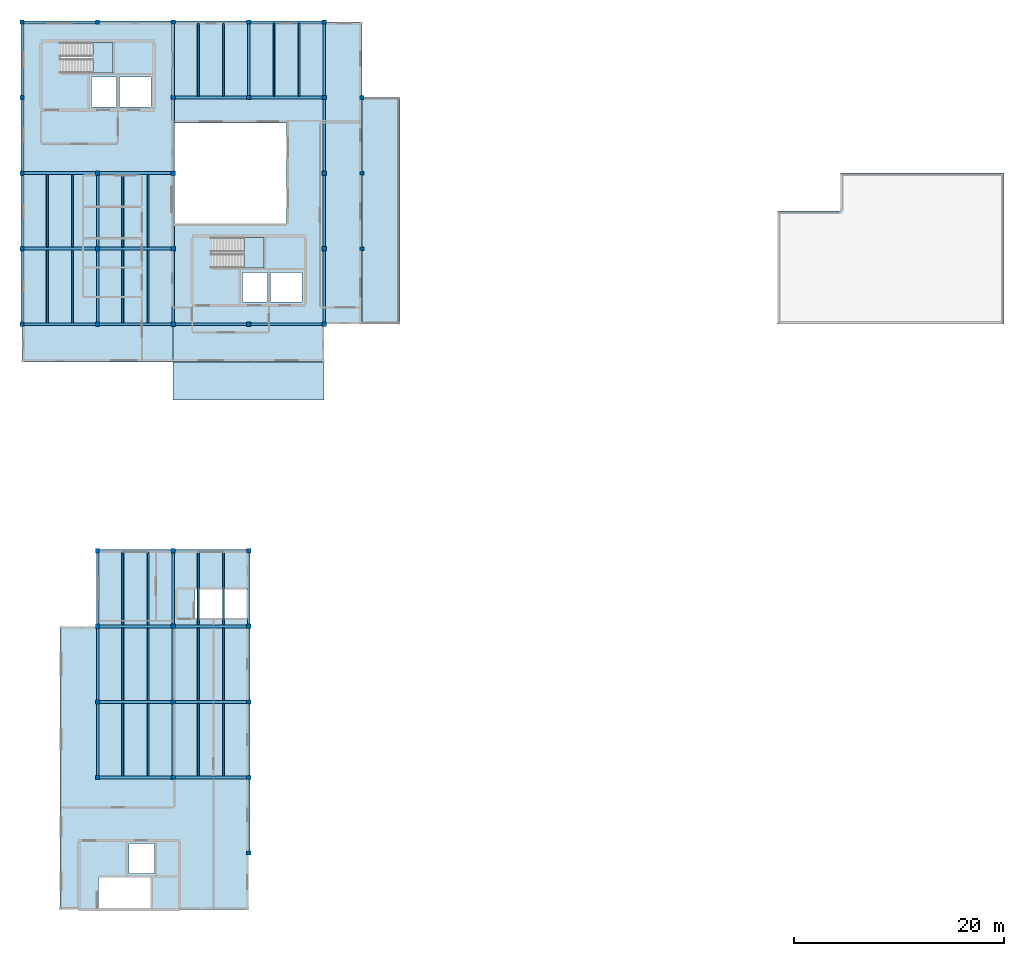
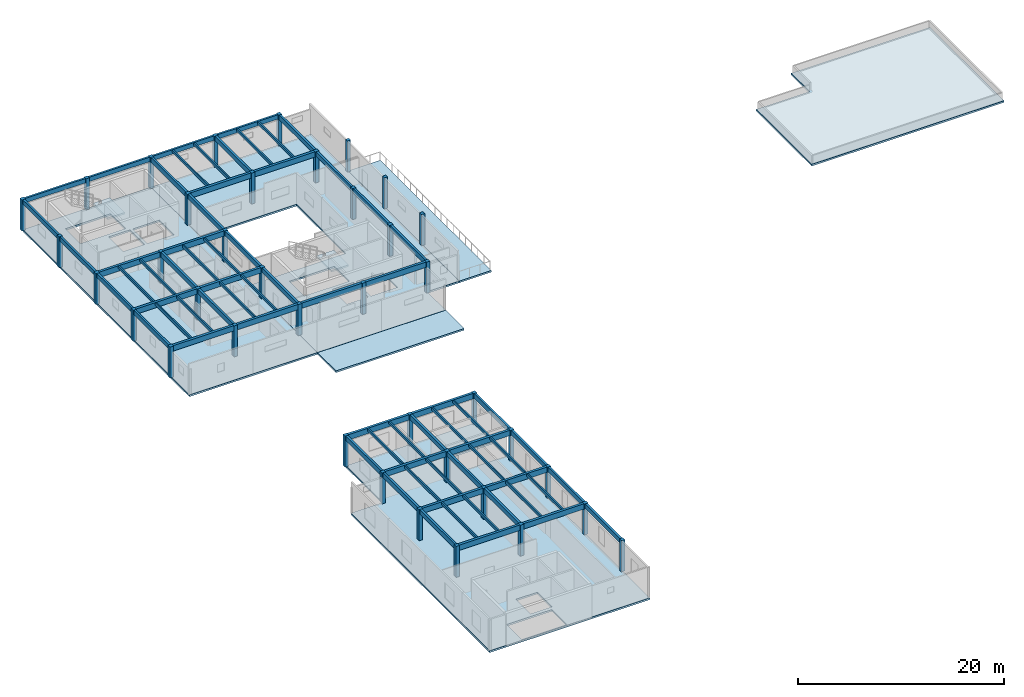
# One storey, part 1 of 12: 71 beams, 38 columns, 8 slabs, 2 elements without a shape of their own.
"""IFC4 building model written with IfcOpenShell, lengths in metres."""

from ifc_helpers import new_model, si_unit, direction, frame, origin, origin_2d, place, context, subcontext, project, spatial, polyline, rectangle, outline, extrude, material, layer, layer_set, material_profile, profile_set, type_object, element, aggregate, save


model = new_model("IFC4")

# Units and contexts
model_context = context("Model", 3, precision=1e-05, world=origin(), true_north=direction((0.0, 1.0)))
body_context = subcontext(model_context, "Body", "Model", "MODEL_VIEW")
ifc_project = project(units=[si_unit("LENGTHUNIT", "METRE"), si_unit("AREAUNIT", "SQUARE_METRE"), si_unit("VOLUMEUNIT", "CUBIC_METRE"), si_unit("PLANEANGLEUNIT", "RADIAN"), si_unit("MASSUNIT", "GRAM", prefix="KILO")], contexts=[model_context])

# Site, building, storey
site_placement = place(None, origin())
site = spatial("IfcSite", under=ifc_project, at=site_placement, CompositionType="ELEMENT")
building_placement = place(site_placement, origin())
building = spatial("IfcBuilding", under=site, at=building_placement, Name="Bramvelor Terrace Health Centre", CompositionType="ELEMENT")
storey_placement = place(building_placement, frame((0.0, 0.0, 17.699951171875)))
storey = spatial("IfcBuildingStorey", under=building, at=storey_placement, Name="L05", CompositionType="ELEMENT", Elevation=17.699951171875)

# Columns
ifc_material_1 = material(Name="Glulam GL28h", Category="wood")
ifc_material_profile_1 = material_profile(ifc_material_1, rectangle(XDim=0.360107421875, YDim=0.360107421875, at=origin_2d()), Name="GL 360x360")
ifc_profile_set_1 = profile_set([ifc_material_profile_1], Name="Glulam GL28h")
column_type_1 = type_object("IfcColumnType", Name="COL-GL-360-EXT", PredefinedType="COLUMN", material=ifc_profile_set_1)
for number, where, z_axis, x_axis, name in (
    (1, (32.39990234375, 93.60009765625, 0.0), (0.0, 0.0, 1.0), (1.0, 0.0, 0.0), "L05 Terrace Setback Column (32.4, 93.6)"),
    (2, (32.39990234375, 100.800048828125, 0.0), (0.0, 0.0, 1.0), (1.0, 0.0, 0.0), "L05 Terrace Setback Column (32.4, 100.8)"),
    (3, (32.39990234375, 108.0, 0.0), (0.0, 0.0, 1.0), (1.0, 0.0, 0.0), "L05 Terrace Setback Column (32.4, 108.0)"),
):
    element("IfcColumn", number, at=place(storey_placement, frame(where, z_axis=z_axis, x_axis=x_axis)), inside=storey, type_object=column_type_1, Name=name, PredefinedType="COLUMN", context=body_context, shape_type="SweptSolid", body=[
        extrude(rectangle(XDim=0.360107421875, YDim=0.360107421875, at=origin_2d()), origin(), (0.0, 0.0, 1.0), 3.7099609375),
    ])
ifc_material_2 = material(Name="Glulam GL28h", Category="wood")
ifc_material_profile_2 = material_profile(ifc_material_2, rectangle(XDim=0.39990234375, YDim=0.39990234375, at=origin_2d()), Name="GL 400x400")
ifc_profile_set_2 = profile_set([ifc_material_profile_2], Name="Glulam GL28h")
column_type_2 = type_object("IfcColumnType", Name="COL-GL-400", PredefinedType="COLUMN", material=ifc_profile_set_2)
for number, where, z_axis, x_axis, name in (
    (4, (7.199951171875, 43.199951171875, 0.0), (0.0, 0.0, 1.0), (1.0, 0.0, 0.0), "L05 Column (7.2, 43.2)"),
    (5, (7.199951171875, 50.39990234375, 0.0), (0.0, 0.0, 1.0), (1.0, 0.0, 0.0), "L05 Column (7.2, 50.4)"),
    (6, (7.199951171875, 57.60009765625, 0.0), (0.0, 0.0, 1.0), (1.0, 0.0, 0.0), "L05 Column (7.2, 57.6)"),
    (7, (7.199951171875, 64.800048828125, 0.0), (0.0, 0.0, 1.0), (1.0, 0.0, 0.0), "L05 Column (7.2, 64.8)"),
    (8, (7.199951171875, 86.39990234375, 0.0), (0.0, 0.0, 1.0), (1.0, 0.0, 0.0), "L05 Column (7.2, 86.4)"),
    (9, (7.199951171875, 93.60009765625, 0.0), (0.0, 0.0, 1.0), (1.0, 0.0, 0.0), "L05 Column (7.2, 93.6)"),
    (10, (7.199951171875, 100.800048828125, 0.0), (0.0, 0.0, 1.0), (1.0, 0.0, 0.0), "L05 Column (7.2, 100.8)"),
    (11, (14.39990234375, 43.199951171875, 0.0), (0.0, 0.0, 1.0), (1.0, 0.0, 0.0), "L05 Column (14.4, 43.2)"),
    (12, (14.39990234375, 50.39990234375, 0.0), (0.0, 0.0, 1.0), (1.0, 0.0, 0.0), "L05 Column (14.4, 50.4)"),
    (13, (14.39990234375, 57.60009765625, 0.0), (0.0, 0.0, 1.0), (1.0, 0.0, 0.0), "L05 Column (14.4, 57.6)"),
    (14, (14.39990234375, 64.800048828125, 0.0), (0.0, 0.0, 1.0), (1.0, 0.0, 0.0), "L05 Column (14.4, 64.8)"),
    (15, (14.39990234375, 86.39990234375, 0.0), (0.0, 0.0, 1.0), (1.0, 0.0, 0.0), "L05 Column (14.4, 86.4)"),
    (16, (14.39990234375, 93.60009765625, 0.0), (0.0, 0.0, 1.0), (1.0, 0.0, 0.0), "L05 Column (14.4, 93.6)"),
    (17, (14.39990234375, 100.800048828125, 0.0), (0.0, 0.0, 1.0), (1.0, 0.0, 0.0), "L05 Column (14.4, 100.8)"),
    (18, (14.39990234375, 108.0, 0.0), (0.0, 0.0, 1.0), (1.0, 0.0, 0.0), "L05 Column (14.4, 108.0)"),
    (19, (21.60009765625, 36.0, 0.0), (0.0, 0.0, 1.0), (1.0, 0.0, 0.0), "L05 Column (21.6, 36.0)"),
    (20, (21.60009765625, 43.199951171875, 0.0), (0.0, 0.0, 1.0), (1.0, 0.0, 0.0), "L05 Column (21.6, 43.2)"),
    (21, (21.60009765625, 50.39990234375, 0.0), (0.0, 0.0, 1.0), (1.0, 0.0, 0.0), "L05 Column (21.6, 50.4)"),
    (22, (21.60009765625, 57.60009765625, 0.0), (0.0, 0.0, 1.0), (1.0, 0.0, 0.0), "L05 Column (21.6, 57.6)"),
    (23, (21.60009765625, 64.800048828125, 0.0), (0.0, 0.0, 1.0), (1.0, 0.0, 0.0), "L05 Column (21.6, 64.8)"),
    (24, (21.60009765625, 86.39990234375, 0.0), (0.0, 0.0, 1.0), (1.0, 0.0, 0.0), "L05 Column (21.6, 86.4)"),
    (25, (21.60009765625, 108.0, 0.0), (0.0, 0.0, 1.0), (1.0, 0.0, 0.0), "L05 Column (21.6, 108.0)"),
    (26, (28.800048828125, 86.39990234375, 0.0), (0.0, 0.0, 1.0), (1.0, 0.0, 0.0), "L05 Column (28.8, 86.4)"),
    (27, (28.800048828125, 93.60009765625, 0.0), (0.0, 0.0, 1.0), (1.0, 0.0, 0.0), "L05 Column (28.8, 93.6)"),
    (28, (28.800048828125, 100.800048828125, 0.0), (0.0, 0.0, 1.0), (1.0, 0.0, 0.0), "L05 Column (28.8, 100.8)"),
    (29, (28.800048828125, 108.0, 0.0), (0.0, 0.0, 1.0), (1.0, 0.0, 0.0), "L05 Column (28.8, 108.0)"),
):
    element("IfcColumn", number, at=place(storey_placement, frame(where, z_axis=z_axis, x_axis=x_axis)), inside=storey, type_object=column_type_2, Name=name, PredefinedType="COLUMN", context=body_context, shape_type="SweptSolid", body=[
        extrude(rectangle(XDim=0.39990234375, YDim=0.39990234375, at=origin_2d()), origin(), (0.0, 0.0, 1.0), 3.68994140625),
    ])
ifc_material_3 = material(Name="Glulam GL28h", Category="wood")
ifc_material_profile_3 = material_profile(ifc_material_3, rectangle(XDim=0.39990234375, YDim=0.39990234375, at=origin_2d()), Name="GL 400x400")
ifc_profile_set_3 = profile_set([ifc_material_profile_3], Name="Glulam GL28h")
column_type_3 = type_object("IfcColumnType", Name="COL-GL-400-EXT", PredefinedType="COLUMN", material=ifc_profile_set_3)
for number, where, z_axis, x_axis, name in (
    (30, (0.0, 86.39990234375, 0.0), (0.0, 0.0, 1.0), (1.0, 0.0, 0.0), "L05 Column (0.0, 86.4)"),
    (31, (0.0, 93.60009765625, 0.0), (0.0, 0.0, 1.0), (1.0, 0.0, 0.0), "L05 Column (0.0, 93.6)"),
    (32, (0.0, 100.800048828125, 0.0), (0.0, 0.0, 1.0), (1.0, 0.0, 0.0), "L05 Column (0.0, 100.8)"),
    (33, (0.0, 108.0, 0.0), (0.0, 0.0, 1.0), (1.0, 0.0, 0.0), "L05 Column (0.0, 108.0)"),
    (34, (0.0, 115.199951171875, 0.0), (0.0, 0.0, 1.0), (1.0, 0.0, 0.0), "L05 Column (0.0, 115.2)"),
    (35, (7.199951171875, 115.199951171875, 0.0), (0.0, 0.0, 1.0), (1.0, 0.0, 0.0), "L05 Column (7.2, 115.2)"),
    (36, (14.39990234375, 115.199951171875, 0.0), (0.0, 0.0, 1.0), (1.0, 0.0, 0.0), "L05 Column (14.4, 115.2)"),
    (37, (21.60009765625, 115.199951171875, 0.0), (0.0, 0.0, 1.0), (1.0, 0.0, 0.0), "L05 Column (21.6, 115.2)"),
    (38, (28.800048828125, 115.199951171875, 0.0), (0.0, 0.0, 1.0), (1.0, 0.0, 0.0), "L05 Column (28.8, 115.2)"),
):
    element("IfcColumn", number, at=place(storey_placement, frame(where, z_axis=z_axis, x_axis=x_axis)), inside=storey, type_object=column_type_3, Name=name, PredefinedType="COLUMN", context=body_context, shape_type="SweptSolid", body=[
        extrude(rectangle(XDim=0.39990234375, YDim=0.39990234375, at=origin_2d()), origin(), (0.0, 0.0, 1.0), 3.68994140625),
    ])

# Beams
ifc_material_4 = material(Name="Glulam GL28h", Category="wood")
ifc_material_profile_4 = material_profile(ifc_material_4, rectangle(XDim=0.239990234375, YDim=0.56005859375, at=origin_2d()), Name="GL 240x560")
ifc_profile_set_4 = profile_set([ifc_material_profile_4], Name="Glulam GL28h")
beam_type_1 = type_object("IfcBeamType", Name="BM-GL-G560", PredefinedType="BEAM", material=ifc_profile_set_4)
beam_1_placement = place(storey_placement, frame((7.199951171875, 43.39990234375, 3.41015625), z_axis=(0.0, 1.0, 0.0), x_axis=(-1.0, 0.0, 0.0)))
element("IfcBeam", 39, at=beam_1_placement, inside=storey, type_object=beam_type_1, Name="L05 Floor Girder", PredefinedType="BEAM", context=body_context, shape_type="SweptSolid", body=[
    extrude(rectangle(XDim=0.239990234375, YDim=0.56005859375, at=origin_2d()), origin(), (0.0, 0.0, 1.0), 6.800048828125),
])
beam_2_placement = place(storey_placement, frame((7.199951171875, 50.60009765625, 3.41015625), z_axis=(0.0, 1.0, 0.0), x_axis=(-1.0, 0.0, 0.0)))
element("IfcBeam", 40, at=beam_2_placement, inside=storey, type_object=beam_type_1, Name="L05 Floor Girder", PredefinedType="BEAM", context=body_context, shape_type="SweptSolid", body=[
    extrude(rectangle(XDim=0.239990234375, YDim=0.56005859375, at=origin_2d()), origin(), (0.0, 0.0, 1.0), 6.7998046875),
])
beam_3_placement = place(storey_placement, frame((7.199951171875, 57.800048828125, 3.41015625), z_axis=(0.0, 1.0, 0.0), x_axis=(-1.0, 0.0, 0.0)))
element("IfcBeam", 41, at=beam_3_placement, inside=storey, type_object=beam_type_1, Name="L05 Floor Girder", PredefinedType="BEAM", context=body_context, shape_type="SweptSolid", body=[
    extrude(rectangle(XDim=0.239990234375, YDim=0.56005859375, at=origin_2d()), origin(), (0.0, 0.0, 1.0), 6.800048828125),
])
beam_4_placement = place(storey_placement, frame((7.199951171875, 86.60009765625, 3.41015625), z_axis=(0.0, 1.0, 0.0), x_axis=(-1.0, 0.0, 0.0)))
element("IfcBeam", 42, at=beam_4_placement, inside=storey, type_object=beam_type_1, Name="L05 Floor Girder", PredefinedType="BEAM", context=body_context, shape_type="SweptSolid", body=[
    extrude(rectangle(XDim=0.239990234375, YDim=0.56005859375, at=origin_2d()), origin(), (0.0, 0.0, 1.0), 6.7998046875),
])
for number, where, z_axis, x_axis, name in (
    (43, (7.199951171875, 93.800048828125, 3.41015625), (0.0, 1.0, 0.0), (-1.0, 0.0, 0.0), "L05 Floor Girder"),
    (44, (14.39990234375, 43.39990234375, 3.41015625), (0.0, 1.0, 0.0), (-1.0, 0.0, 0.0), "L05 Floor Girder"),
):
    element("IfcBeam", number, at=place(storey_placement, frame(where, z_axis=z_axis, x_axis=x_axis)), inside=storey, type_object=beam_type_1, Name=name, PredefinedType="BEAM", context=body_context, shape_type="SweptSolid", body=[
        extrude(rectangle(XDim=0.239990234375, YDim=0.56005859375, at=origin_2d()), origin(), (0.0, 0.0, 1.0), 6.800048828125),
    ])
beam_5_placement = place(storey_placement, frame((14.39990234375, 50.60009765625, 3.41015625), z_axis=(0.0, 1.0, 0.0), x_axis=(-1.0, 0.0, 0.0)))
element("IfcBeam", 45, at=beam_5_placement, inside=storey, type_object=beam_type_1, Name="L05 Floor Girder", PredefinedType="BEAM", context=body_context, shape_type="SweptSolid", body=[
    extrude(rectangle(XDim=0.239990234375, YDim=0.56005859375, at=origin_2d()), origin(), (0.0, 0.0, 1.0), 6.7998046875),
])
beam_6_placement = place(storey_placement, frame((14.39990234375, 57.800048828125, 3.41015625), z_axis=(0.0, 1.0, 0.0), x_axis=(-1.0, 0.0, 0.0)))
element("IfcBeam", 46, at=beam_6_placement, inside=storey, type_object=beam_type_1, Name="L05 Floor Girder", PredefinedType="BEAM", context=body_context, shape_type="SweptSolid", body=[
    extrude(rectangle(XDim=0.239990234375, YDim=0.56005859375, at=origin_2d()), origin(), (0.0, 0.0, 1.0), 6.800048828125),
])
beam_7_placement = place(storey_placement, frame((14.39990234375, 86.60009765625, 3.41015625), z_axis=(0.0, 1.0, 0.0), x_axis=(-1.0, 0.0, 0.0)))
element("IfcBeam", 47, at=beam_7_placement, inside=storey, type_object=beam_type_1, Name="L05 Floor Girder", PredefinedType="BEAM", context=body_context, shape_type="SweptSolid", body=[
    extrude(rectangle(XDim=0.239990234375, YDim=0.56005859375, at=origin_2d()), origin(), (0.0, 0.0, 1.0), 6.7998046875),
])
for number, where, z_axis, x_axis, name in (
    (48, (14.39990234375, 93.800048828125, 3.41015625), (0.0, 1.0, 0.0), (-1.0, 0.0, 0.0), "L05 Floor Girder"),
    (49, (14.39990234375, 101.0, 3.41015625), (0.0, 1.0, 0.0), (-1.0, 0.0, 0.0), "L05 Floor Girder"),
    (50, (14.39990234375, 108.199951171875, 3.41015625), (0.0, 1.0, 0.0), (-1.0, 0.0, 0.0), "L05 Floor Girder"),
    (51, (21.60009765625, 36.199951171875, 3.41015625), (0.0, 1.0, 0.0), (-1.0, 0.0, 0.0), "L05 Floor Girder"),
    (52, (21.60009765625, 43.39990234375, 3.41015625), (0.0, 1.0, 0.0), (-1.0, 0.0, 0.0), "L05 Floor Girder"),
):
    element("IfcBeam", number, at=place(storey_placement, frame(where, z_axis=z_axis, x_axis=x_axis)), inside=storey, type_object=beam_type_1, Name=name, PredefinedType="BEAM", context=body_context, shape_type="SweptSolid", body=[
        extrude(rectangle(XDim=0.239990234375, YDim=0.56005859375, at=origin_2d()), origin(), (0.0, 0.0, 1.0), 6.800048828125),
    ])
beam_8_placement = place(storey_placement, frame((21.60009765625, 50.60009765625, 3.41015625), z_axis=(0.0, 1.0, 0.0), x_axis=(-1.0, 0.0, 0.0)))
element("IfcBeam", 53, at=beam_8_placement, inside=storey, type_object=beam_type_1, Name="L05 Floor Girder", PredefinedType="BEAM", context=body_context, shape_type="SweptSolid", body=[
    extrude(rectangle(XDim=0.239990234375, YDim=0.56005859375, at=origin_2d()), origin(), (0.0, 0.0, 1.0), 6.7998046875),
])
for number, where, z_axis, x_axis, name in (
    (54, (21.60009765625, 57.800048828125, 3.41015625), (0.0, 1.0, 0.0), (-1.0, 0.0, 0.0), "L05 Floor Girder"),
    (55, (21.60009765625, 108.199951171875, 3.41015625), (0.0, 1.0, 0.0), (-1.0, 0.0, 0.0), "L05 Floor Girder"),
):
    element("IfcBeam", number, at=place(storey_placement, frame(where, z_axis=z_axis, x_axis=x_axis)), inside=storey, type_object=beam_type_1, Name=name, PredefinedType="BEAM", context=body_context, shape_type="SweptSolid", body=[
        extrude(rectangle(XDim=0.239990234375, YDim=0.56005859375, at=origin_2d()), origin(), (0.0, 0.0, 1.0), 6.800048828125),
    ])
beam_9_placement = place(storey_placement, frame((28.800048828125, 86.60009765625, 3.41015625), z_axis=(0.0, 1.0, 0.0), x_axis=(-1.0, 0.0, 0.0)))
element("IfcBeam", 56, at=beam_9_placement, inside=storey, type_object=beam_type_1, Name="L05 Floor Girder", PredefinedType="BEAM", context=body_context, shape_type="SweptSolid", body=[
    extrude(rectangle(XDim=0.239990234375, YDim=0.56005859375, at=origin_2d()), origin(), (0.0, 0.0, 1.0), 6.7998046875),
])
for number, where, z_axis, x_axis, name in (
    (57, (28.800048828125, 93.800048828125, 3.41015625), (0.0, 1.0, 0.0), (-1.0, 0.0, 0.0), "L05 Floor Girder"),
    (58, (28.800048828125, 101.0, 3.41015625), (0.0, 1.0, 0.0), (-1.0, 0.0, 0.0), "L05 Floor Girder"),
    (59, (28.800048828125, 108.199951171875, 3.41015625), (0.0, 1.0, 0.0), (-1.0, 0.0, 0.0), "L05 Floor Girder"),
):
    element("IfcBeam", number, at=place(storey_placement, frame(where, z_axis=z_axis, x_axis=x_axis)), inside=storey, type_object=beam_type_1, Name=name, PredefinedType="BEAM", context=body_context, shape_type="SweptSolid", body=[
        extrude(rectangle(XDim=0.239990234375, YDim=0.56005859375, at=origin_2d()), origin(), (0.0, 0.0, 1.0), 6.800048828125),
    ])
ifc_material_5 = material(Name="Glulam GL28h", Category="wood")
ifc_material_profile_5 = material_profile(ifc_material_5, rectangle(XDim=0.280029296875, YDim=0.639892578125, at=origin_2d()), Name="GL 280x640")
ifc_profile_set_5 = profile_set([ifc_material_profile_5], Name="Glulam GL28h")
beam_type_2 = type_object("IfcBeamType", Name="BM-GL-G640", PredefinedType="BEAM", material=ifc_profile_set_5)
for number, where, z_axis, x_axis, name in (
    (60, (0.199951171875, 86.39990234375, 3.3701171875), (1.0, 0.0, 0.0), (0.0, 1.0, 0.0), "L05 Floor Girder"),
    (61, (0.199951171875, 93.60009765625, 3.3701171875), (1.0, 0.0, 0.0), (0.0, 1.0, 0.0), "L05 Floor Girder"),
    (62, (0.199951171875, 100.800048828125, 3.3701171875), (1.0, 0.0, 0.0), (0.0, 1.0, 0.0), "L05 Floor Girder"),
    (63, (7.39990234375, 43.199951171875, 3.3701171875), (1.0, 0.0, 0.0), (0.0, 1.0, 0.0), "L05 Floor Girder"),
    (64, (7.39990234375, 50.39990234375, 3.3701171875), (1.0, 0.0, 0.0), (0.0, 1.0, 0.0), "L05 Floor Girder"),
    (65, (7.39990234375, 57.60009765625, 3.3701171875), (1.0, 0.0, 0.0), (0.0, 1.0, 0.0), "L05 Floor Girder"),
    (66, (7.39990234375, 64.800048828125, 3.3701171875), (1.0, 0.0, 0.0), (0.0, 1.0, 0.0), "L05 Floor Girder"),
    (67, (7.39990234375, 86.39990234375, 3.3701171875), (1.0, 0.0, 0.0), (0.0, 1.0, 0.0), "L05 Floor Girder"),
    (68, (7.39990234375, 93.60009765625, 3.3701171875), (1.0, 0.0, 0.0), (0.0, 1.0, 0.0), "L05 Floor Girder"),
    (69, (7.39990234375, 100.800048828125, 3.3701171875), (1.0, 0.0, 0.0), (0.0, 1.0, 0.0), "L05 Floor Girder"),
):
    element("IfcBeam", number, at=place(storey_placement, frame(where, z_axis=z_axis, x_axis=x_axis)), inside=storey, type_object=beam_type_2, Name=name, PredefinedType="BEAM", context=body_context, shape_type="SweptSolid", body=[
        extrude(rectangle(XDim=0.280029296875, YDim=0.639892578125, at=origin_2d()), origin(), (0.0, 0.0, 1.0), 6.800048828125),
    ])
for number, where, z_axis, x_axis, name in (
    (70, (14.60009765625, 43.199951171875, 3.3701171875), (1.0, 0.0, 0.0), (0.0, 1.0, 0.0), "L05 Floor Girder"),
    (71, (14.60009765625, 50.39990234375, 3.3701171875), (1.0, 0.0, 0.0), (0.0, 1.0, 0.0), "L05 Floor Girder"),
    (72, (14.60009765625, 57.60009765625, 3.3701171875), (1.0, 0.0, 0.0), (0.0, 1.0, 0.0), "L05 Floor Girder"),
    (73, (14.60009765625, 64.800048828125, 3.3701171875), (1.0, 0.0, 0.0), (0.0, 1.0, 0.0), "L05 Floor Girder"),
    (74, (14.60009765625, 86.39990234375, 3.3701171875), (1.0, 0.0, 0.0), (0.0, 1.0, 0.0), "L05 Floor Girder"),
    (75, (14.60009765625, 108.0, 3.3701171875), (1.0, 0.0, 0.0), (0.0, 1.0, 0.0), "L05 Floor Girder"),
):
    element("IfcBeam", number, at=place(storey_placement, frame(where, z_axis=z_axis, x_axis=x_axis)), inside=storey, type_object=beam_type_2, Name=name, PredefinedType="BEAM", context=body_context, shape_type="SweptSolid", body=[
        extrude(rectangle(XDim=0.280029296875, YDim=0.639892578125, at=origin_2d()), origin(), (0.0, 0.0, 1.0), 6.7998046875),
    ])
for number, where, z_axis, x_axis, name in (
    (76, (21.800048828125, 86.39990234375, 3.3701171875), (1.0, 0.0, 0.0), (0.0, 1.0, 0.0), "L05 Floor Girder"),
    (77, (21.800048828125, 108.0, 3.3701171875), (1.0, 0.0, 0.0), (0.0, 1.0, 0.0), "L05 Floor Girder"),
):
    element("IfcBeam", number, at=place(storey_placement, frame(where, z_axis=z_axis, x_axis=x_axis)), inside=storey, type_object=beam_type_2, Name=name, PredefinedType="BEAM", context=body_context, shape_type="SweptSolid", body=[
        extrude(rectangle(XDim=0.280029296875, YDim=0.639892578125, at=origin_2d()), origin(), (0.0, 0.0, 1.0), 6.800048828125),
    ])
ifc_material_6 = material(Name="Glulam GL28h", Category="wood")
ifc_material_profile_6 = material_profile(ifc_material_6, rectangle(XDim=0.159912109375, YDim=0.320068359375, at=origin_2d()), Name="GL 160x320")
ifc_profile_set_6 = profile_set([ifc_material_profile_6], Name="Glulam GL28h")
beam_type_3 = type_object("IfcBeamType", Name="BM-GL-J320", PredefinedType="JOIST", material=ifc_profile_set_6)
for number, where, z_axis, x_axis, name in (
    (78, (2.39990234375, 86.5400390625, 3.530029296875), (0.0, 1.0, 0.0), (-1.0, 0.0, 0.0), "L05 Secondary Floor Joist"),
    (79, (4.800048828125, 86.5400390625, 3.530029296875), (0.0, 1.0, 0.0), (-1.0, 0.0, 0.0), "L05 Secondary Floor Joist"),
    (80, (2.39990234375, 93.739990234375, 3.530029296875), (0.0, 1.0, 0.0), (-1.0, 0.0, 0.0), "L05 Secondary Floor Joist"),
    (81, (4.800048828125, 93.739990234375, 3.530029296875), (0.0, 1.0, 0.0), (-1.0, 0.0, 0.0), "L05 Secondary Floor Joist"),
    (82, (9.60009765625, 43.340087890625, 3.530029296875), (0.0, 1.0, 0.0), (-1.0, 0.0, 0.0), "L05 Secondary Floor Joist"),
    (83, (12.0, 43.340087890625, 3.530029296875), (0.0, 1.0, 0.0), (-1.0, 0.0, 0.0), "L05 Secondary Floor Joist"),
    (84, (9.60009765625, 50.5400390625, 3.530029296875), (0.0, 1.0, 0.0), (-1.0, 0.0, 0.0), "L05 Secondary Floor Joist"),
    (85, (12.0, 50.5400390625, 3.530029296875), (0.0, 1.0, 0.0), (-1.0, 0.0, 0.0), "L05 Secondary Floor Joist"),
    (86, (9.60009765625, 57.739990234375, 3.530029296875), (0.0, 1.0, 0.0), (-1.0, 0.0, 0.0), "L05 Secondary Floor Joist"),
    (87, (12.0, 57.739990234375, 3.530029296875), (0.0, 1.0, 0.0), (-1.0, 0.0, 0.0), "L05 Secondary Floor Joist"),
    (88, (9.60009765625, 86.5400390625, 3.530029296875), (0.0, 1.0, 0.0), (-1.0, 0.0, 0.0), "L05 Secondary Floor Joist"),
    (89, (12.0, 86.5400390625, 3.530029296875), (0.0, 1.0, 0.0), (-1.0, 0.0, 0.0), "L05 Secondary Floor Joist"),
    (90, (9.60009765625, 93.739990234375, 3.530029296875), (0.0, 1.0, 0.0), (-1.0, 0.0, 0.0), "L05 Secondary Floor Joist"),
    (91, (12.0, 93.739990234375, 3.530029296875), (0.0, 1.0, 0.0), (-1.0, 0.0, 0.0), "L05 Secondary Floor Joist"),
    (92, (16.800048828125, 43.340087890625, 3.530029296875), (0.0, 1.0, 0.0), (-1.0, 0.0, 0.0), "L05 Secondary Floor Joist"),
    (93, (19.199951171875, 43.340087890625, 3.530029296875), (0.0, 1.0, 0.0), (-1.0, 0.0, 0.0), "L05 Secondary Floor Joist"),
    (94, (16.800048828125, 50.5400390625, 3.530029296875), (0.0, 1.0, 0.0), (-1.0, 0.0, 0.0), "L05 Secondary Floor Joist"),
    (95, (19.199951171875, 50.5400390625, 3.530029296875), (0.0, 1.0, 0.0), (-1.0, 0.0, 0.0), "L05 Secondary Floor Joist"),
    (96, (16.800048828125, 57.739990234375, 3.530029296875), (0.0, 1.0, 0.0), (-1.0, 0.0, 0.0), "L05 Secondary Floor Joist"),
    (97, (19.199951171875, 57.739990234375, 3.530029296875), (0.0, 1.0, 0.0), (-1.0, 0.0, 0.0), "L05 Secondary Floor Joist"),
):
    element("IfcBeam", number, at=place(storey_placement, frame(where, z_axis=z_axis, x_axis=x_axis)), inside=storey, type_object=beam_type_3, Name=name, PredefinedType="JOIST", context=body_context, shape_type="SweptSolid", body=[
        extrude(rectangle(XDim=0.159912109375, YDim=0.320068359375, at=origin_2d()), origin(), (0.0, 0.0, 1.0), 6.919921875),
    ])
for number, where, z_axis, x_axis, name in (
    (98, (16.800048828125, 108.139892578125, 3.530029296875), (0.0, 1.0, 0.0), (-1.0, 0.0, 0.0), "L05 Secondary Floor Joist"),
    (99, (19.199951171875, 108.139892578125, 3.530029296875), (0.0, 1.0, 0.0), (-1.0, 0.0, 0.0), "L05 Secondary Floor Joist"),
    (100, (24.0, 108.139892578125, 3.530029296875), (0.0, 1.0, 0.0), (-1.0, 0.0, 0.0), "L05 Secondary Floor Joist"),
    (101, (26.39990234375, 108.139892578125, 3.530029296875), (0.0, 1.0, 0.0), (-1.0, 0.0, 0.0), "L05 Secondary Floor Joist"),
):
    element("IfcBeam", number, at=place(storey_placement, frame(where, z_axis=z_axis, x_axis=x_axis)), inside=storey, type_object=beam_type_3, Name=name, PredefinedType="JOIST", context=body_context, shape_type="SweptSolid", body=[
        extrude(rectangle(XDim=0.159912109375, YDim=0.320068359375, at=origin_2d()), origin(), (0.0, 0.0, 1.0), 6.9501953125),
    ])
ifc_material_7 = material(Name="Glulam GL28h", Category="wood")
ifc_material_profile_7 = material_profile(ifc_material_7, rectangle(XDim=0.219970703125, YDim=0.52001953125, at=origin_2d()), Name="GL 220x520")
ifc_profile_set_7 = profile_set([ifc_material_profile_7], Name="Glulam GL28h")
beam_type_4 = type_object("IfcBeamType", Name="BM-GL-SP520-EXT", PredefinedType="SPANDREL", material=ifc_profile_set_7)
beam_10_placement = place(storey_placement, frame((0.0, 86.60009765625, 3.429931640625), z_axis=(0.0, 1.0, 0.0), x_axis=(-1.0, 0.0, 0.0)))
element("IfcBeam", 102, at=beam_10_placement, inside=storey, type_object=beam_type_4, Name="L05 Floor Girder", PredefinedType="SPANDREL", context=body_context, shape_type="SweptSolid", body=[
    extrude(rectangle(XDim=0.219970703125, YDim=0.52001953125, at=origin_2d()), origin(), (0.0, 0.0, 1.0), 6.7998046875),
])
for number, where, z_axis, x_axis, name in (
    (103, (0.0, 93.800048828125, 3.429931640625), (0.0, 1.0, 0.0), (-1.0, 0.0, 0.0), "L05 Floor Girder"),
    (104, (0.0, 101.0, 3.429931640625), (0.0, 1.0, 0.0), (-1.0, 0.0, 0.0), "L05 Floor Girder"),
    (105, (0.0, 108.199951171875, 3.429931640625), (0.0, 1.0, 0.0), (-1.0, 0.0, 0.0), "L05 Floor Girder"),
    (106, (0.199951171875, 115.199951171875, 3.429931640625), (1.0, 0.0, 0.0), (0.0, 1.0, 0.0), "L05 Floor Girder"),
    (107, (7.39990234375, 115.199951171875, 3.429931640625), (1.0, 0.0, 0.0), (0.0, 1.0, 0.0), "L05 Floor Girder"),
):
    element("IfcBeam", number, at=place(storey_placement, frame(where, z_axis=z_axis, x_axis=x_axis)), inside=storey, type_object=beam_type_4, Name=name, PredefinedType="SPANDREL", context=body_context, shape_type="SweptSolid", body=[
        extrude(rectangle(XDim=0.219970703125, YDim=0.52001953125, at=origin_2d()), origin(), (0.0, 0.0, 1.0), 6.800048828125),
    ])
beam_11_placement = place(storey_placement, frame((14.60009765625, 115.199951171875, 3.429931640625), z_axis=(1.0, 0.0, 0.0), x_axis=(0.0, 1.0, 0.0)))
element("IfcBeam", 108, at=beam_11_placement, inside=storey, type_object=beam_type_4, Name="L05 Floor Girder", PredefinedType="SPANDREL", context=body_context, shape_type="SweptSolid", body=[
    extrude(rectangle(XDim=0.219970703125, YDim=0.52001953125, at=origin_2d()), origin(), (0.0, 0.0, 1.0), 6.7998046875),
])
beam_12_placement = place(storey_placement, frame((21.800048828125, 115.199951171875, 3.429931640625), z_axis=(1.0, 0.0, 0.0), x_axis=(0.0, 1.0, 0.0)))
element("IfcBeam", 109, at=beam_12_placement, inside=storey, type_object=beam_type_4, Name="L05 Floor Girder", PredefinedType="SPANDREL", context=body_context, shape_type="SweptSolid", body=[
    extrude(rectangle(XDim=0.219970703125, YDim=0.52001953125, at=origin_2d()), origin(), (0.0, 0.0, 1.0), 6.800048828125),
])

# Slabs
ifc_material_8 = material(Name="Cross-laminated timber C24", Category="wood")
ifc_layer_1 = layer(ifc_material_8, 0.199951171875)
ifc_layer_set_1 = layer_set([ifc_layer_1], Name="Cross-laminated timber C24")
slab_type_1 = type_object("IfcSlabType", Name="SLB-EXT-CLT-200", PredefinedType="FLOOR", material=ifc_layer_set_1)
slab_1_placement = place(storey_placement, frame((0.0, 0.0, -0.199951171875)))
element("IfcSlab", 110, at=slab_1_placement, inside=storey, type_object=slab_type_1, Name="L05 V4 Step3 Exterior Slab", PredefinedType="FLOOR", context=body_context, shape_type="SweptSolid", body=[
    extrude(outline(polyline([(36.0, 108.0), (36.0, 86.39990234375), (32.405029296875, 86.39990234375), (32.405029296875, 108.0), (36.0, 108.0)])), origin(), (0.0, 0.0, 1.0), 0.199951171875),
])
ifc_material_9 = material(Name="Cross-laminated timber C24", Category="wood")
ifc_layer_2 = layer(ifc_material_9, 0.2099609375)
ifc_layer_set_2 = layer_set([ifc_layer_2], Name="Cross-laminated timber C24")
slab_type_2 = type_object("IfcSlabType", Name="SLB-FLR-CLT210", PredefinedType="FLOOR", material=ifc_layer_set_2)
slab_2_placement = place(storey_placement, frame((0.0, 0.0, -0.2099609375)))
element("IfcSlab", 111, at=slab_2_placement, inside=storey, type_object=slab_type_2, Name="L05 V4_E Floor Slab", PredefinedType="FLOOR", context=body_context, shape_type="SweptSolid", body=[
    extrude(outline(polyline([(28.800048828125, 82.800048828125), (14.39990234375, 82.800048828125), (14.39990234375, 96.0), (25.199951171875, 96.0), (25.199951171875, 105.60009765625), (14.39990234375, 105.60009765625), (14.39990234375, 115.199951171875), (32.39990234375, 115.199951171875), (32.39990234375, 86.39990234375), (28.800048828125, 86.39990234375), (28.800048828125, 82.800048828125)]), holes=[polyline([(18.080078125, 91.75), (23.14990234375, 91.75), (23.14990234375, 94.64990234375), (18.080078125, 94.64990234375), (18.080078125, 91.75)]), polyline([(21.0, 91.35009765625), (21.0, 88.5), (23.39990234375, 88.5), (23.39990234375, 91.35009765625), (21.0, 91.35009765625)]), polyline([(26.699951171875, 91.35009765625), (23.699951171875, 91.35009765625), (23.699951171875, 88.5), (26.699951171875, 88.5), (26.699951171875, 91.35009765625)])]), origin(), (0.0, 0.0, 1.0), 0.2099609375),
])
slab_3_placement = place(storey_placement, frame((0.0, 0.0, -0.2099609375)))
element("IfcSlab", 112, at=slab_3_placement, inside=storey, type_object=slab_type_2, Name="L05 V4_W Floor Slab", PredefinedType="FLOOR", context=body_context, shape_type="SweptSolid", body=[
    extrude(outline(polyline([(14.39990234375, 82.800048828125), (0.0, 82.800048828125), (0.0, 115.199951171875), (14.39990234375, 115.199951171875), (14.39990234375, 105.60009765625), (14.39990234375, 96.0), (14.39990234375, 82.800048828125)]), holes=[polyline([(3.679931640625, 110.35009765625), (8.75, 110.35009765625), (8.75, 113.25), (3.679931640625, 113.25), (3.679931640625, 110.35009765625)]), polyline([(6.60009765625, 109.949951171875), (6.60009765625, 107.10009765625), (9.0, 107.10009765625), (9.0, 109.949951171875), (6.60009765625, 109.949951171875)]), polyline([(12.300048828125, 109.949951171875), (9.300048828125, 109.949951171875), (9.300048828125, 107.10009765625), (12.300048828125, 107.10009765625), (12.300048828125, 109.949951171875)])]), origin(), (0.0, 0.0, 1.0), 0.2099609375),
])
slab_4_placement = place(storey_placement, frame((0.0, 0.0, -0.2099609375)))
element("IfcSlab", 113, at=slab_4_placement, inside=storey, type_object=slab_type_2, Name="L05 V6 Floor Slab", PredefinedType="FLOOR", context=body_context, shape_type="SweptSolid", body=[
    extrude(outline(polyline([(3.60009765625, 57.60009765625), (7.199951171875, 57.60009765625), (7.199951171875, 64.800048828125), (21.60009765625, 64.800048828125), (21.60009765625, 30.60009765625), (3.60009765625, 30.60009765625), (3.60009765625, 57.60009765625)]), holes=[polyline([(7.280029296875, 30.75), (12.35009765625, 30.75), (12.35009765625, 33.64990234375), (7.280029296875, 33.64990234375), (7.280029296875, 30.75)]), polyline([(10.199951171875, 36.89990234375), (10.199951171875, 34.050048828125), (12.60009765625, 34.050048828125), (12.60009765625, 36.89990234375), (10.199951171875, 36.89990234375)]), polyline([(21.550048828125, 61.10009765625), (16.47998046875, 61.10009765625), (16.47998046875, 58.39990234375), (21.550048828125, 58.39990234375), (21.550048828125, 61.10009765625)])]), origin(), (0.0, 0.0, 1.0), 0.2099609375),
])

# Stair, slab
ifc_material_10 = material(Name="Concrete C40/50", Category="concrete")
stair_type = type_object("IfcStairType", Name="STR-CORE", PredefinedType="HALF_TURN_STAIR", material=ifc_material_10)
stair_1_placement = place(storey_placement, origin())
stair_1 = element("IfcStair", 114, at=stair_1_placement, inside=storey, type_object=stair_type, Name="L05 C1 Primary Fire Stair", PredefinedType="HALF_TURN_STAIR")
ifc_material_11 = material(Name="Concrete C40/50", Category="concrete")
ifc_layer_3 = layer(ifc_material_11, 0.199951171875)
ifc_layer_set_3 = layer_set([ifc_layer_3], Name="Concrete C40/50")
slab_type_3 = type_object("IfcSlabType", Name="SLB-LND-200", PredefinedType="LANDING", material=ifc_layer_set_3)
slab_5_placement = place(storey_placement, frame((0.0, 0.0, 1.75)))
slab_5 = element("IfcSlab", 115, at=slab_5_placement, type_object=slab_type_3, Name="ST-1 landing 1", PredefinedType="LANDING", context=body_context, shape_type="SweptSolid", body=[
    extrude(outline(polyline([(6.735107421875, 110.35009765625), (8.655029296875, 110.35009765625), (8.655029296875, 113.25), (6.735107421875, 113.25), (6.735107421875, 110.35009765625)])), origin(), (0.0, 0.0, 1.0), 0.199951171875),
])
aggregate(stair_1, [slab_5])

stair_2_placement = place(storey_placement, origin())
stair_2 = element("IfcStair", 116, at=stair_2_placement, inside=storey, type_object=stair_type, Name="L05 C2 Primary Fire Stair", PredefinedType="HALF_TURN_STAIR")
slab_6_placement = place(storey_placement, frame((0.0, 0.0, 1.75)))
slab_6 = element("IfcSlab", 117, at=slab_6_placement, type_object=slab_type_3, Name="ST-2 landing 1", PredefinedType="LANDING", context=body_context, shape_type="SweptSolid", body=[
    extrude(outline(polyline([(21.135009765625, 91.75), (23.054931640625, 91.75), (23.054931640625, 94.64990234375), (21.135009765625, 94.64990234375), (21.135009765625, 91.75)])), origin(), (0.0, 0.0, 1.0), 0.199951171875),
])
aggregate(stair_2, [slab_6])

# Slabs
ifc_material_12 = material(Name="Cross-laminated timber C24", Category="wood")
ifc_layer_4 = layer(ifc_material_12, 0.2099609375)
ifc_layer_set_4 = layer_set([ifc_layer_4], Name="Cross-laminated timber C24")
slab_type_4 = type_object("IfcSlabType", Name="SLB-RF-CLT210", PredefinedType="ROOF", material=ifc_layer_set_4)
slab_7_placement = place(storey_placement, frame((0.0, 0.0, -0.2099609375)))
element("IfcSlab", 118, at=slab_7_placement, inside=storey, type_object=slab_type_4, Name="L05 Insulated Maintenance Roof 3", PredefinedType="ROOF", context=body_context, shape_type="SweptSolid", body=[
    extrude(outline(polyline([(78.0, 100.800048828125), (93.60009765625, 100.800048828125), (93.60009765625, 86.39990234375), (72.0, 86.39990234375), (72.0, 97.199951171875), (78.0, 97.199951171875), (78.0, 100.800048828125)])), origin(), (0.0, 0.0, 1.0), 0.2099609375),
])
slab_8_placement = place(storey_placement, frame((0.0, 0.0, -0.2099609375)))
element("IfcSlab", 119, at=slab_8_placement, inside=storey, type_object=slab_type_4, Name="L05 Insulated Maintenance Roof 5", PredefinedType="ROOF", context=body_context, shape_type="SweptSolid", body=[
    extrude(outline(polyline([(28.800048828125, 82.7900390625), (28.800048828125, 79.199951171875), (14.39990234375, 79.199951171875), (14.39990234375, 82.7900390625), (28.800048828125, 82.7900390625)])), origin(), (0.0, 0.0, 1.0), 0.2099609375),
])

save(model, "model.ifc")
